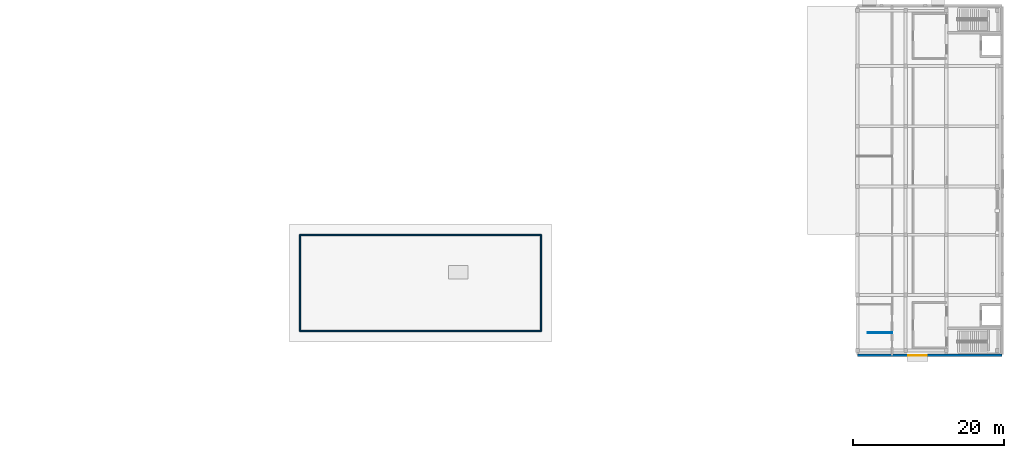
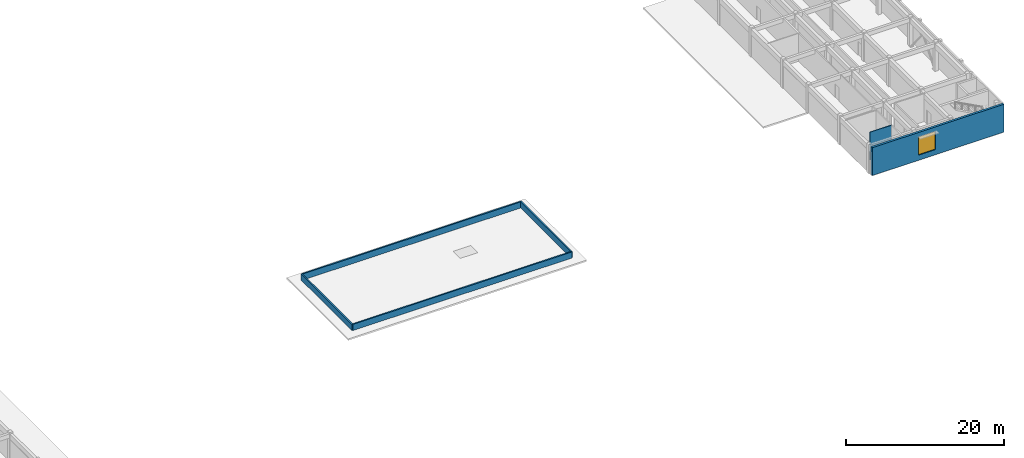
# One storey, part 6 of 11: 6 walls, 1 window, 1 opening.
"""IFC4 building model written with IfcOpenShell, lengths in metres."""

from ifc_helpers import new_model, si_unit, direction, frame, frame_2d, origin, place, context, subcontext, project, spatial, rectangle, extrude, material, layer, layer_set, type_object, element, fill, save


model = new_model("IFC4")

# Units and contexts
model_context = context("Model", 3, precision=1e-05, world=origin(), true_north=direction((0.0, 1.0)))
body_context = subcontext(model_context, "Body", "Model", "MODEL_VIEW")
ifc_project = project(units=[si_unit("LENGTHUNIT", "METRE"), si_unit("AREAUNIT", "SQUARE_METRE"), si_unit("VOLUMEUNIT", "CUBIC_METRE"), si_unit("PLANEANGLEUNIT", "RADIAN"), si_unit("MASSUNIT", "GRAM", prefix="KILO")], contexts=[model_context])

# Site, building, storey
site_placement = place(None, origin())
site = spatial("IfcSite", under=ifc_project, at=site_placement, CompositionType="ELEMENT")
building_placement = place(site_placement, origin())
building = spatial("IfcBuilding", under=site, at=building_placement, Name="Cinchona Park Media Centre", CompositionType="ELEMENT")
storey_placement = place(building_placement, frame((0.0, 0.0, 24.89990234375)))
storey = spatial("IfcBuildingStorey", under=building, at=storey_placement, Name="L05", CompositionType="ELEMENT", Elevation=24.89990234375)

# Wall, opening, window
ifc_material_1 = material(Name="Precast concrete C40/50", Category="concrete")
ifc_layer_1 = layer(ifc_material_1, 0.320068359375)
ifc_layer_set_1 = layer_set([ifc_layer_1], Name="Precast concrete C40/50")
wall_type_1 = type_object("IfcWallType", Name="WALL-W-EX02", PredefinedType="SOLIDWALL", material=ifc_layer_set_1)
wall_1_placement = place(storey_placement, frame((172.0, 71.60009765625, 0.0), z_axis=(0.0, 0.0, 1.0), x_axis=(-1.0, 0.0, 0.0)))
wall_1 = element("IfcWall", 1, at=wall_1_placement, inside=storey, type_object=wall_type_1, Name="Exterior Wall W-EX02 V7 L05", PredefinedType="SOLIDWALL", context=body_context, shape_type="SweptSolid", body=[
    extrude(rectangle(XDim=19.199951171875, YDim=0.320068359375, at=frame_2d((9.60009765625, 0.0))), origin(), (0.0, 0.0, 1.0), 4.300048828125),
])
opening_placement = place(wall_1_placement, frame((10.0, 0.0, 0.800048828125)))
opening = element("IfcOpeningElement", 2, at=opening_placement, cuts=wall_1, Name="Opening WN40", PredefinedType="OPENING", context=body_context, shape_type="SweptSolid", body=[
    extrude(rectangle(XDim=2.449951171875, YDim=2.800048828125, at=frame_2d((1.22509765625, 1.39990234375))), frame((0.0, 0.169921875, 0.0), z_axis=(0.0, -1.0, 0.0), x_axis=(1.0, 0.0, 0.0)), (0.0, 0.0, 1.0), 0.340087890625),
])
ifc_material_2 = material(Name="Thermally Broken Aluminium Solar-Control Window", Category="aluminium")
window_type = type_object("IfcWindowType", Name="WIN-WN40", PartitioningType="SINGLE_PANEL", PredefinedType="WINDOW", material=ifc_material_2)
window_placement = place(opening_placement, origin())
window = element("IfcWindow", 3, at=window_placement, inside=storey, type_object=window_type, Name="Window WN40 L05", OverallHeight=2.800048828125, OverallWidth=2.449951171875, PartitioningType="SINGLE_PANEL", PredefinedType="WINDOW", context=body_context, shape_type="SweptSolid", body=[
    extrude(rectangle(XDim=2.449951171875, YDim=2.800048828125, at=frame_2d((1.22509765625, 1.39990234375))), frame((0.0, 0.030029296875, 0.0), z_axis=(0.0, -1.0, 0.0), x_axis=(1.0, 0.0, 0.0)), (0.0, 0.0, 1.0), 0.06005859375),
])
fill(opening, window)

# Walls
ifc_material_3 = material(Name="Precast concrete C40/50", Category="concrete")
ifc_layer_2 = layer(ifc_material_3, 0.199951171875)
ifc_layer_set_2 = layer_set([ifc_layer_2], Name="Precast concrete C40/50")
wall_type_2 = type_object("IfcWallType", Name="WALL-W-PR02", PredefinedType="PARAPET", material=ifc_layer_set_2)
wall_2_placement = place(storey_placement, frame((78.800048828125, 87.60009765625, 0.0), z_axis=(0.0, 0.0, 1.0), x_axis=(1.0, 0.0, 0.0)))
element("IfcWall", 4, at=wall_2_placement, inside=storey, type_object=wall_type_2, Name="Roof Parapet Wall W-PR02 L05", PredefinedType="PARAPET", context=body_context, shape_type="SweptSolid", body=[
    extrude(rectangle(XDim=32.0, YDim=0.199951171875, at=frame_2d((16.0, 0.0))), origin(), (0.0, 0.0, 1.0), 0.9501953125),
])
wall_3_placement = place(storey_placement, frame((110.800048828125, 87.60009765625, 0.0), z_axis=(0.0, 0.0, 1.0), x_axis=(0.0, -1.0, 0.0)))
element("IfcWall", 5, at=wall_3_placement, inside=storey, type_object=wall_type_2, Name="Roof Parapet Wall W-PR02 L05", PredefinedType="PARAPET", context=body_context, shape_type="SweptSolid", body=[
    extrude(rectangle(XDim=12.800048828125, YDim=0.199951171875, at=frame_2d((6.39990234375, 0.0))), origin(), (0.0, 0.0, 1.0), 0.9501953125),
])
wall_4_placement = place(storey_placement, frame((110.800048828125, 74.800048828125, 0.0), z_axis=(0.0, 0.0, 1.0), x_axis=(-1.0, 0.0, 0.0)))
element("IfcWall", 6, at=wall_4_placement, inside=storey, type_object=wall_type_2, Name="Roof Parapet Wall W-PR02 L05", PredefinedType="PARAPET", context=body_context, shape_type="SweptSolid", body=[
    extrude(rectangle(XDim=32.0, YDim=0.199951171875, at=frame_2d((16.0, 0.0))), origin(), (0.0, 0.0, 1.0), 0.9501953125),
])
wall_5_placement = place(storey_placement, frame((78.800048828125, 74.800048828125, 0.0), z_axis=(0.0, 0.0, 1.0), x_axis=(0.0, 1.0, 0.0)))
element("IfcWall", 7, at=wall_5_placement, inside=storey, type_object=wall_type_2, Name="Roof Parapet Wall W-PR02 L05", PredefinedType="PARAPET", context=body_context, shape_type="SweptSolid", body=[
    extrude(rectangle(XDim=12.800048828125, YDim=0.199951171875, at=frame_2d((6.39990234375, 0.0))), origin(), (0.0, 0.0, 1.0), 0.9501953125),
])
ifc_material_4 = material(Name="Gypsum Metal-Stud Partition", Category="gypsum")
ifc_layer_3 = layer(ifc_material_4, 0.10009765625)
ifc_layer_set_3 = layer_set([ifc_layer_3], Name="Gypsum Metal-Stud Partition")
wall_type_3 = type_object("IfcWallType", Name="WALL-W-PT100", PredefinedType="PARTITIONING", material=ifc_layer_set_3)
wall_6_placement = place(storey_placement, frame((154.199951171875, 74.60009765625, 0.0), z_axis=(0.0, 0.0, 1.0), x_axis=(1.0, 0.0, 0.0)))
element("IfcWall", 8, at=wall_6_placement, inside=storey, type_object=wall_type_3, Name="Interior Wall W-PT100 L05", PredefinedType="PARTITIONING", context=body_context, shape_type="SweptSolid", body=[
    extrude(rectangle(XDim=3.199951171875, YDim=0.10009765625, at=frame_2d((1.60009765625, 0.0))), origin(), (0.0, 0.0, 1.0), 4.300048828125),
])

save(model, "model.ifc")
